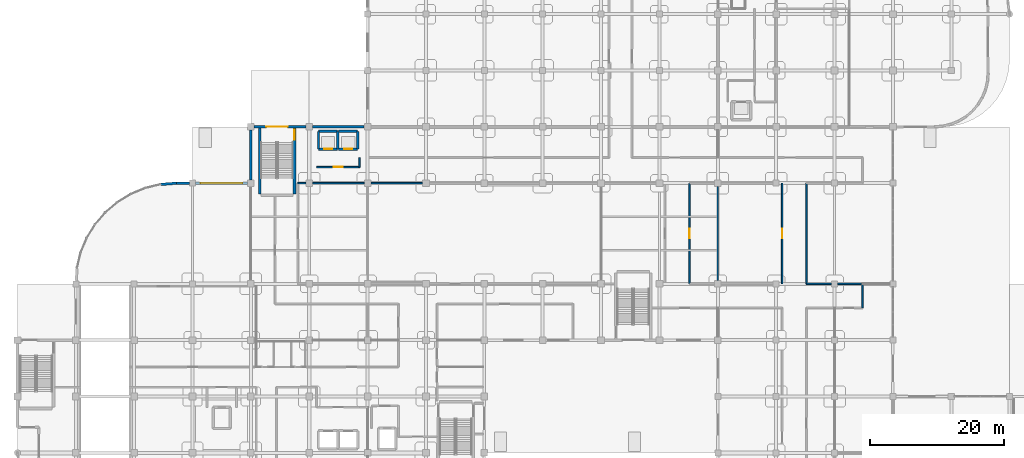
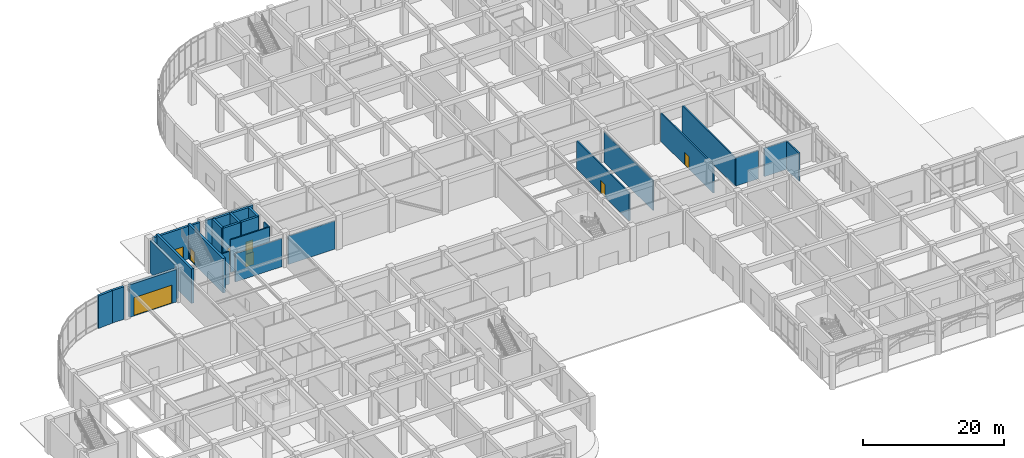
# One storey, part 65 of 82: 27 walls, 8 doors, 8 openings.
"""IFC4 building model written with IfcOpenShell, lengths in metres."""

from ifc_helpers import new_model, si_unit, derived_unit, direction, frame, frame_2d, origin, place, context, subcontext, project, spatial, rectangle, extrude, material, layer, layer_set, type_object, element, fill, save


model = new_model("IFC4")

# Units and contexts
model_context = context("Model", 3, precision=1e-05, world=origin(), true_north=direction((0.0, 1.0)))
body_context = subcontext(model_context, "Body", "Model", "MODEL_VIEW")
ifc_project = project(units=[si_unit("LENGTHUNIT", "METRE"), si_unit("AREAUNIT", "SQUARE_METRE"), si_unit("VOLUMEUNIT", "CUBIC_METRE"), si_unit("PLANEANGLEUNIT", "RADIAN"), si_unit("MASSUNIT", "GRAM", prefix="KILO"), derived_unit("THERMALTRANSMITTANCEUNIT", [(si_unit("MASSUNIT", "GRAM", prefix="KILO"), 1), (si_unit("TIMEUNIT", "SECOND"), -3), (si_unit("THERMODYNAMICTEMPERATUREUNIT", "KELVIN"), -1)])], contexts=[model_context])

# Site, building, storey
site_placement = place(None, origin())
site = spatial("IfcSite", under=ifc_project, at=site_placement, CompositionType="ELEMENT")
building_placement = place(site_placement, origin())
building = spatial("IfcBuilding", under=site, at=building_placement, Name="Qinzheling Arcade Emporium", CompositionType="ELEMENT")
storey_placement = place(building_placement, origin())
storey = spatial("IfcBuildingStorey", under=building, at=storey_placement, Name="L01", CompositionType="ELEMENT", Elevation=0.0)

# Wall
ifc_material_1 = material(Name="Double-stud acoustic gypsum board partition")
ifc_layer_1 = layer(ifc_material_1, 0.215087890625, Name="Double-stud acoustic gypsum board partition")
ifc_layer_set_1 = layer_set([ifc_layer_1], Name="Double-stud acoustic gypsum board partition")
wall_type_1 = type_object("IfcWallType", Name="Acoustic Corridor Partition Wall 215", PredefinedType="PARTITIONING", material=ifc_layer_set_1)
wall_1_placement = place(storey_placement, frame((51.0, 69.199951171875, 0.0), z_axis=(0.0, 0.0, 1.0), x_axis=(0.0, -1.0, 0.0)))
element("IfcWall", 1, at=wall_1_placement, inside=storey, type_object=wall_type_1, Name="Interior Wall WL-L01-INT-0096", PredefinedType="PARTITIONING", context=body_context, shape_type="SweptSolid", body=[
    extrude(rectangle(XDim=1.39990234375, YDim=0.215087890625, at=frame_2d((0.699951171875, 0.0))), origin(), (0.0, 0.0, 1.0), 5.659912109375),
])

# Wall, opening, door
wall_2_placement = place(storey_placement, frame((51.0, 67.800048828125, 0.0), z_axis=(0.0, 0.0, 1.0), x_axis=(-1.0, 0.0, 0.0)))
wall_2 = element("IfcWall", 2, at=wall_2_placement, inside=storey, type_object=wall_type_1, Name="Interior Wall WL-L01-INT-0097", PredefinedType="PARTITIONING", context=body_context, shape_type="SweptSolid", body=[
    extrude(rectangle(XDim=6.39990234375, YDim=0.215087890625, at=frame_2d((3.199951171875, 0.0))), origin(), (0.0, 0.0, 1.0), 5.659912109375),
])
opening_1_placement = place(wall_2_placement, frame((2.52490234375, 0.0, 0.0)))
opening_1 = element("IfcOpeningElement", 3, at=opening_1_placement, cuts=wall_2, Name="Opening FD05", PredefinedType="OPENING", context=body_context, shape_type="SweptSolid", body=[
    extrude(rectangle(XDim=1.35009765625, YDim=2.199951171875, at=frame_2d((0.675048828125, 1.10009765625))), frame((0.0, 0.11767578125, 0.0), z_axis=(0.0, -1.0, 0.0), x_axis=(1.0, 0.0, 0.0)), (0.0, 0.0, 1.0), 0.235107421875),
])
ifc_material_2 = material(Name="Class B fire-rated stainless-clad door")
door_type_1 = type_object("IfcDoorType", Name="Kitchen Fire-Rated Service Door 1350x2200", OperationType="NOTDEFINED", PredefinedType="DOOR", material=ifc_material_2)
door_1_placement = place(opening_1_placement, origin())
door_1 = element("IfcDoor", 4, at=door_1_placement, inside=storey, type_object=door_type_1, Name="FD05 Interior Door DR-L01-INT-0029", OperationType="SINGLE_SWING_LEFT", OverallHeight=2.199951171875, OverallWidth=1.35009765625, PredefinedType="DOOR", context=body_context, shape_type="SweptSolid", body=[
    extrude(rectangle(XDim=1.35009765625, YDim=2.199951171875, at=frame_2d((0.675048828125, 1.10009765625))), frame((0.0, 0.02490234375, 0.0), z_axis=(0.0, -1.0, 0.0), x_axis=(1.0, 0.0, 0.0)), (0.0, 0.0, 1.0), 0.050048828125),
])
fill(opening_1, door_1)

# Walls
for number, where, z_axis, x_axis, name in (
    (5, (60.389892578125, 65.39990234375, 0.0), (0.0, 0.0, 1.0), (-1.0, 0.0, 0.0), "Interior Wall WL-L01-INT-0150"),
    (6, (51.68994140625, 65.39990234375, 0.0), (0.0, 0.0, 1.0), (-1.0, 0.0, 0.0), "Interior Wall WL-L01-INT-0153"),
):
    element("IfcWall", number, at=place(storey_placement, frame(where, z_axis=z_axis, x_axis=x_axis)), inside=storey, type_object=wall_type_1, Name=name, PredefinedType="PARTITIONING", context=body_context, shape_type="SweptSolid", body=[
        extrude(rectangle(XDim=7.679931640625, YDim=0.215087890625, at=frame_2d((3.83984375, 0.0))), origin(), (0.0, 0.0, 1.0), 4.909912109375),
    ])
wall_3_placement = place(storey_placement, frame((42.989990234375, 65.39990234375, 0.0), z_axis=(0.0, 0.0, 1.0), x_axis=(-1.0, 0.0, 0.0)))
element("IfcWall", 7, at=wall_3_placement, inside=storey, type_object=wall_type_1, Name="Interior Wall WL-L01-INT-0154", PredefinedType="PARTITIONING", context=body_context, shape_type="SweptSolid", body=[
    extrude(rectangle(XDim=1.18994140625, YDim=0.215087890625, at=frame_2d((0.594970703125, 0.0))), origin(), (0.0, 0.0, 1.0), 5.659912109375),
])

# Wall, opening, door
wall_4_placement = place(storey_placement, frame((100.199951171875, 65.39990234375, 0.0), z_axis=(0.0, 0.0, 1.0), x_axis=(0.0, -1.0, 0.0)))
wall_4 = element("IfcWall", 8, at=wall_4_placement, inside=storey, type_object=wall_type_1, Name="Interior Wall WL-L01-INT-0169", PredefinedType="PARTITIONING", context=body_context, shape_type="SweptSolid", body=[
    extrude(rectangle(XDim=15.0, YDim=0.215087890625, at=frame_2d((7.5, 0.0))), origin(), (0.0, 0.0, 1.0), 4.909912109375),
])
opening_2_placement = place(wall_4_placement, frame((6.824951171875, 0.0, 0.0)))
opening_2 = element("IfcOpeningElement", 9, at=opening_2_placement, cuts=wall_4, Name="Opening FD05", PredefinedType="OPENING", context=body_context, shape_type="SweptSolid", body=[
    extrude(rectangle(XDim=1.35009765625, YDim=2.199951171875, at=frame_2d((0.675048828125, 1.10009765625))), frame((0.0, 0.11767578125, 0.0), z_axis=(0.0, -1.0, 0.0), x_axis=(1.0, 0.0, 0.0)), (0.0, 0.0, 1.0), 0.235107421875),
])
door_2_placement = place(opening_2_placement, origin())
door_2 = element("IfcDoor", 10, at=door_2_placement, inside=storey, type_object=door_type_1, Name="FD05 Interior Door DR-L01-INT-0053", OperationType="SINGLE_SWING_RIGHT", OverallHeight=2.199951171875, OverallWidth=1.35009765625, PredefinedType="DOOR", context=body_context, shape_type="SweptSolid", body=[
    extrude(rectangle(XDim=1.35009765625, YDim=2.199951171875, at=frame_2d((0.675048828125, 1.10009765625))), frame((0.0, 0.02490234375, 0.0), z_axis=(0.0, -1.0, 0.0), x_axis=(1.0, 0.0, 0.0)), (0.0, 0.0, 1.0), 0.050048828125),
])
fill(opening_2, door_2)

# Walls
wall_5_placement = place(storey_placement, frame((126.0, 50.39990234375, 0.0), z_axis=(0.0, 0.0, 1.0), x_axis=(0.0, -1.0, 0.0)))
element("IfcWall", 11, at=wall_5_placement, inside=storey, type_object=wall_type_1, Name="Interior Wall WL-L01-INT-0182", PredefinedType="PARTITIONING", context=body_context, shape_type="SweptSolid", body=[
    extrude(rectangle(XDim=3.599853515625, YDim=0.215087890625, at=frame_2d((1.7998046875, 0.0))), origin(), (0.0, 0.0, 1.0), 4.909912109375),
])
wall_6_placement = place(storey_placement, frame((117.60009765625, 65.39990234375, 0.0), z_axis=(0.0, 0.0, 1.0), x_axis=(0.0, -1.0, 0.0)))
element("IfcWall", 12, at=wall_6_placement, inside=storey, type_object=wall_type_1, Name="Interior Wall WL-L01-INT-0188", PredefinedType="PARTITIONING", context=body_context, shape_type="SweptSolid", body=[
    extrude(rectangle(XDim=15.0, YDim=0.215087890625, at=frame_2d((7.5, 0.0))), origin(), (0.0, 0.0, 1.0), 4.909912109375),
])
for number, where, z_axis, x_axis, name in (
    (13, (117.60009765625, 50.39990234375, 0.0), (0.0, 0.0, 1.0), (1.0, 0.0, 0.0), "Interior Wall WL-L01-INT-0189"),
    (14, (122.260009765625, 50.39990234375, 0.0), (0.0, 0.0, 1.0), (1.0, 0.0, 0.0), "Interior Wall WL-L01-INT-0190"),
):
    element("IfcWall", number, at=place(storey_placement, frame(where, z_axis=z_axis, x_axis=x_axis)), inside=storey, type_object=wall_type_1, Name=name, PredefinedType="PARTITIONING", context=body_context, shape_type="SweptSolid", body=[
        extrude(rectangle(XDim=3.739990234375, YDim=0.215087890625, at=frame_2d((1.8701171875, 0.0))), origin(), (0.0, 0.0, 1.0), 4.909912109375),
    ])

# Wall, opening, door
wall_7_placement = place(storey_placement, frame((114.0, 50.39990234375, 0.0), z_axis=(0.0, 0.0, 1.0), x_axis=(0.0, 1.0, 0.0)))
wall_7 = element("IfcWall", 15, at=wall_7_placement, inside=storey, type_object=wall_type_1, Name="Interior Wall WL-L01-INT-0192", PredefinedType="PARTITIONING", context=body_context, shape_type="SweptSolid", body=[
    extrude(rectangle(XDim=15.0, YDim=0.215087890625, at=frame_2d((7.5, 0.0))), origin(), (0.0, 0.0, 1.0), 4.909912109375),
])
opening_3_placement = place(wall_7_placement, frame((6.824951171875, 0.0, 0.0)))
opening_3 = element("IfcOpeningElement", 16, at=opening_3_placement, cuts=wall_7, Name="Opening FD05", PredefinedType="OPENING", context=body_context, shape_type="SweptSolid", body=[
    extrude(rectangle(XDim=1.35009765625, YDim=2.199951171875, at=frame_2d((0.675048828125, 1.10009765625))), frame((0.0, 0.11767578125, 0.0), z_axis=(0.0, -1.0, 0.0), x_axis=(1.0, 0.0, 0.0)), (0.0, 0.0, 1.0), 0.235107421875),
])
door_3_placement = place(opening_3_placement, origin())
door_3 = element("IfcDoor", 17, at=door_3_placement, inside=storey, type_object=door_type_1, Name="FD05 Interior Door DR-L01-INT-0060", OperationType="SINGLE_SWING_LEFT", OverallHeight=2.199951171875, OverallWidth=1.35009765625, PredefinedType="DOOR", context=body_context, shape_type="SweptSolid", body=[
    extrude(rectangle(XDim=1.35009765625, YDim=2.199951171875, at=frame_2d((0.675048828125, 1.10009765625))), frame((0.0, 0.02490234375, 0.0), z_axis=(0.0, -1.0, 0.0), x_axis=(1.0, 0.0, 0.0)), (0.0, 0.0, 1.0), 0.050048828125),
])
fill(opening_3, door_3)

# Wall
ifc_material_3 = material(Name="Lightweight steel-stud gypsum partition", Category="steel")
ifc_layer_2 = layer(ifc_material_3, 0.18994140625, Name="Lightweight steel-stud gypsum partition", Category="steel")
ifc_layer_set_2 = layer_set([ifc_layer_2], Name="Lightweight steel-stud gypsum partition")
wall_type_2 = type_object("IfcWallType", Name="Department Tenant Partition Wall 190", PredefinedType="PARTITIONING", material=ifc_layer_set_2)
wall_8_placement = place(storey_placement, frame((104.39990234375, 64.889892578125, 0.0), z_axis=(0.0, 0.0, 1.0), x_axis=(0.0, -1.0, 0.0)))
element("IfcWall", 18, at=wall_8_placement, inside=storey, type_object=wall_type_2, Name="Interior Wall WL-L01-INT-0241", PredefinedType="PARTITIONING", context=body_context, shape_type="SweptSolid", body=[
    extrude(rectangle(XDim=13.97998046875, YDim=0.18994140625, at=frame_2d((6.989990234375, 0.0))), origin(), (0.0, 0.0, 1.0), 5.221923828125),
])

# Wall, opening, door
ifc_material_4 = material(Name="Fluted granite ashlar on Concrete C40", Category="masonry")
ifc_layer_3 = layer(ifc_material_4, 0.35009765625, Name="Fluted granite ashlar on Concrete C40", Category="masonry")
ifc_layer_set_3 = layer_set([ifc_layer_3], Name="Fluted granite ashlar on Concrete C40")
wall_type_3 = type_object("IfcWallType", Name="Fluted Granite Logistics Wall 350", PredefinedType="STANDARD", material=ifc_layer_set_3)
wall_9_placement = place(storey_placement, frame((35.302001953125, 73.800048828125, 0.0), z_axis=(0.0, 0.0, 1.0), x_axis=(1.0, 0.0, 0.0)))
wall_9 = element("IfcWall", 19, at=wall_9_placement, inside=storey, type_object=wall_type_3, Name="Exterior Wall WL-L01-EW-0048", PredefinedType="STANDARD", context=body_context, shape_type="SweptSolid", body=[
    extrude(rectangle(XDim=7.696044921875, YDim=0.35009765625, at=frame_2d((3.84814453125, 0.0))), origin(), (0.0, 0.0, 1.0), 5.659912109375),
])
opening_4_placement = place(wall_9_placement, frame((1.79296875, 0.0, 0.0)))
opening_4 = element("IfcOpeningElement", 20, at=opening_4_placement, cuts=wall_9, Name="Opening ED01", PredefinedType="OPENING", context=body_context, shape_type="SweptSolid", body=[
    extrude(rectangle(XDim=3.199951171875, YDim=2.39990234375, at=frame_2d((1.60009765625, 1.199951171875))), frame((0.0, 0.18505859375, 0.0), z_axis=(0.0, -1.0, 0.0), x_axis=(1.0, 0.0, 0.0)), (0.0, 0.0, 1.0), 0.3701171875),
])
ifc_material_5 = material(Name="Fire-rated steel panic exit door", Category="steel")
door_type_2 = type_object("IfcDoorType", Name="Stairwell Street Final Exit Door 3200x2400", OperationType="DOUBLE_DOOR_SINGLE_SWING", PredefinedType="USERDEFINED", material=ifc_material_5)
door_4_placement = place(opening_4_placement, origin())
door_4 = element("IfcDoor", 21, at=door_4_placement, inside=storey, type_object=door_type_2, Name="ED01 Exterior Door DR-L01-EXT-022", ObjectType="ESCAPE_DOOR", OperationType="DOUBLE_DOOR_SINGLE_SWING", OverallHeight=2.39990234375, OverallWidth=3.199951171875, PredefinedType="USERDEFINED", context=body_context, shape_type="SweptSolid", body=[
    extrude(rectangle(XDim=3.199951171875, YDim=2.39990234375, at=frame_2d((1.60009765625, 1.199951171875))), frame((0.0, 0.02490234375, 0.0), z_axis=(0.0, -1.0, 0.0), x_axis=(1.0, 0.0, 0.0)), (0.0, 0.0, 1.0), 0.050048828125),
])
fill(opening_4, door_4)

# Walls
wall_10_placement = place(storey_placement, frame((44.001953125, 73.800048828125, 0.0), z_axis=(0.0, 0.0, 1.0), x_axis=(1.0, 0.0, 0.0)))
element("IfcWall", 22, at=wall_10_placement, inside=storey, type_object=wall_type_3, Name="Exterior Wall WL-L01-EW-0049", PredefinedType="STANDARD", context=body_context, shape_type="SweptSolid", body=[
    extrude(rectangle(XDim=7.696044921875, YDim=0.35009765625, at=frame_2d((3.84814453125, 0.0))), origin(), (0.0, 0.0, 1.0), 5.659912109375),
])
ifc_material_6 = material(Name="Glazed cream terracotta on Concrete C40", Category="masonry")
ifc_layer_4 = layer(ifc_material_6, 0.3798828125, Name="Glazed cream terracotta on Concrete C40", Category="masonry")
ifc_layer_set_4 = layer_set([ifc_layer_4], Name="Glazed cream terracotta on Concrete C40")
wall_type_4 = type_object("IfcWallType", Name="Glazed Cream Terracotta Structural Wall 380", PredefinedType="STANDARD", material=ifc_layer_set_4)
wall_11_placement = place(storey_placement, frame((21.35302734375, 65.215087890625, 0.0), z_axis=(0.0, 0.0, 1.0), x_axis=(0.996913759647, 0.078504495584, 0.0)))
element("IfcWall", 23, at=wall_11_placement, inside=storey, type_object=wall_type_4, Name="Exterior Wall WL-L01-EW-0044", PredefinedType="STANDARD", context=body_context, shape_type="SweptSolid", body=[
    extrude(rectangle(XDim=2.354248046875, YDim=0.3798828125, at=frame_2d((1.17724609375, 0.0))), origin(), (0.0, 0.0, 1.0), 5.659912109375),
])

# Wall, opening, door
wall_12_placement = place(storey_placement, frame((26.552001953125, 65.39990234375, 0.0), z_axis=(0.0, 0.0, 1.0), x_axis=(1.0, 0.0, 0.0)))
wall_12 = element("IfcWall", 24, at=wall_12_placement, inside=storey, type_object=wall_type_4, Name="Exterior Wall WL-L01-EW-0046", PredefinedType="STANDARD", context=body_context, shape_type="SweptSolid", body=[
    extrude(rectangle(XDim=7.74609375, YDim=0.3798828125, at=frame_2d((3.873046875, 0.0))), origin(), (0.0, 0.0, 1.0), 5.659912109375),
])
opening_5_placement = place(wall_12_placement, frame((0.77294921875, 0.0, 0.0)))
opening_5 = element("IfcOpeningElement", 25, at=opening_5_placement, cuts=wall_12, Name="Opening VG01", PredefinedType="OPENING", context=body_context, shape_type="SweptSolid", body=[
    extrude(rectangle(XDim=6.199951171875, YDim=3.199951171875, at=frame_2d((3.10009765625, 1.60009765625))), frame((0.0, 0.199951171875, 0.0), z_axis=(0.0, -1.0, 0.0), x_axis=(1.0, 0.0, 0.0)), (0.0, 0.0, 1.0), 0.39990234375),
])
ifc_material_7 = material(Name="Galvanised powder-coated steel grille gate", Category="steel")
door_type_3 = type_object("IfcDoorType", Name="West Car Park Motorized Bi-Parting Gate 6200x3200", OperationType="DOUBLE_DOOR_SLIDING", PredefinedType="GATE", material=ifc_material_7)
door_5_placement = place(opening_5_placement, origin())
door_5 = element("IfcDoor", 26, at=door_5_placement, inside=storey, type_object=door_type_3, Name="VG01 Exterior Door DR-L01-EXT-021", OperationType="DOUBLE_DOOR_SLIDING", OverallHeight=3.199951171875, OverallWidth=6.199951171875, PredefinedType="GATE", context=body_context, shape_type="SweptSolid", body=[
    extrude(rectangle(XDim=6.199951171875, YDim=3.199951171875, at=frame_2d((3.10009765625, 1.60009765625))), frame((0.0, 0.02490234375, 0.0), z_axis=(0.0, -1.0, 0.0), x_axis=(1.0, 0.0, 0.0)), (0.0, 0.0, 1.0), 0.050048828125),
])
fill(opening_5, door_5)

# Walls
ifc_layer_5 = layer(ifc_material_6, 0.360107421875, Name="Glazed cream terracotta on Concrete C40", Category="masonry")
ifc_layer_set_5 = layer_set([ifc_layer_5], Name="Glazed cream terracotta on Concrete C40")
wall_type_5 = type_object("IfcWallType", Name="Glazed Terracotta Pier Wall 360", PredefinedType="STANDARD", material=ifc_layer_set_5)
wall_13_placement = place(storey_placement, frame((23.699951171875, 65.39990234375, 0.0), z_axis=(0.0, 0.0, 1.0), x_axis=(1.0, 0.0, 0.0)))
element("IfcWall", 27, at=wall_13_placement, inside=storey, type_object=wall_type_5, Name="Exterior Wall WL-L01-EW-0045", PredefinedType="STANDARD", context=body_context, shape_type="SweptSolid", body=[
    extrude(rectangle(XDim=1.947998046875, YDim=0.360107421875, at=frame_2d((0.97412109375, 0.0))), origin(), (0.0, 0.0, 1.0), 5.659912109375),
])
wall_14_placement = place(storey_placement, frame((34.800048828125, 65.902099609375, 0.0), z_axis=(0.0, 0.0, 1.0), x_axis=(0.0, 1.0, 0.0)))
element("IfcWall", 28, at=wall_14_placement, inside=storey, type_object=wall_type_5, Name="Exterior Wall WL-L01-EW-0047", PredefinedType="STANDARD", context=body_context, shape_type="SweptSolid", body=[
    extrude(rectangle(XDim=7.39599609375, YDim=0.360107421875, at=frame_2d((3.697998046875, 0.0))), origin(), (0.0, 0.0, 1.0), 5.659912109375),
])
ifc_material_8 = material(Name="Concrete C40", Category="concrete")
ifc_layer_6 = layer(ifc_material_8, 0.35009765625, Name="Concrete C40", Category="concrete")
ifc_layer_set_6 = layer_set([ifc_layer_6], Name="Concrete C40")
wall_type_6 = type_object("IfcWallType", Name="RC Lift Shaft Shear Wall 350 C40", PredefinedType="SHEAR", material=ifc_layer_set_6)
wall_15_placement = place(storey_placement, frame((44.875, 73.125, 0.0), z_axis=(0.0, 0.0, 1.0), x_axis=(1.0, 0.0, 0.0)))
element("IfcWall", 29, at=wall_15_placement, inside=storey, type_object=wall_type_6, Name="Lift Shaft Wall WL-L01-LFT-LP03-N", PredefinedType="SHEAR", context=body_context, shape_type="SweptSolid", body=[
    extrude(rectangle(XDim=2.85009765625, YDim=0.35009765625, at=frame_2d((1.425048828125, 0.0))), origin(), (0.0, 0.0, 1.0), 6.0),
])

# Wall, opening, door
wall_16_placement = place(storey_placement, frame((47.72509765625, 70.47509765625, 0.0), z_axis=(0.0, 0.0, 1.0), x_axis=(-1.0, 0.0, 0.0)))
wall_16 = element("IfcWall", 30, at=wall_16_placement, inside=storey, type_object=wall_type_6, Name="Lift Shaft Wall WL-L01-LFT-LP03-S", PredefinedType="SHEAR", context=body_context, shape_type="SweptSolid", body=[
    extrude(rectangle(XDim=2.85009765625, YDim=0.35009765625, at=frame_2d((1.425048828125, 0.0))), origin(), (0.0, 0.0, 1.0), 6.0),
])
opening_6_placement = place(wall_16_placement, frame((0.824951171875, 0.0, 0.0)))
opening_6 = element("IfcOpeningElement", 31, at=opening_6_placement, cuts=wall_16, Name="Opening LD02", PredefinedType="OPENING", context=body_context, shape_type="SweptSolid", body=[
    extrude(rectangle(XDim=1.199951171875, YDim=2.199951171875, at=frame_2d((0.60009765625, 1.10009765625))), frame((0.0, 0.18505859375, 0.0), z_axis=(0.0, -1.0, 0.0), x_axis=(1.0, 0.0, 0.0)), (0.0, 0.0, 1.0), 0.3701171875),
])
ifc_material_9 = material(Name="Brushed bronze stainless sliding lift door")
door_type_4 = type_object("IfcDoorType", Name="Passenger Lift Sliding Landing Door 1200x2200", OperationType="DOUBLE_DOOR_SLIDING", PredefinedType="DOOR", material=ifc_material_9)
door_6_placement = place(opening_6_placement, origin())
door_6 = element("IfcDoor", 32, at=door_6_placement, inside=storey, type_object=door_type_4, Name="LD02 Lift Landing Door LP03 L01", OperationType="DOUBLE_DOOR_SLIDING", OverallHeight=2.199951171875, OverallWidth=1.199951171875, PredefinedType="DOOR", context=body_context, shape_type="SweptSolid", body=[
    extrude(rectangle(XDim=1.199951171875, YDim=2.199951171875, at=frame_2d((0.60009765625, 1.10009765625))), frame((0.0, 0.02490234375, 0.0), z_axis=(0.0, -1.0, 0.0), x_axis=(1.0, 0.0, 0.0)), (0.0, 0.0, 1.0), 0.050048828125),
])
fill(opening_6, door_6)

# Walls
for number, where, z_axis, x_axis, name in (
    (33, (44.875, 70.47509765625, 0.0), (0.0, 0.0, 1.0), (0.0, 1.0, 0.0), "Lift Shaft Wall WL-L01-LFT-LP03-W"),
    (34, (47.72509765625, 73.125, 0.0), (0.0, 0.0, 1.0), (0.0, -1.0, 0.0), "Lift Shaft Wall WL-L01-LFT-LP03-E"),
):
    element("IfcWall", number, at=place(storey_placement, frame(where, z_axis=z_axis, x_axis=x_axis)), inside=storey, type_object=wall_type_6, Name=name, PredefinedType="SHEAR", context=body_context, shape_type="SweptSolid", body=[
        extrude(rectangle(XDim=2.64990234375, YDim=0.35009765625, at=frame_2d((1.324951171875, 0.0))), origin(), (0.0, 0.0, 1.0), 6.0),
    ])
wall_17_placement = place(storey_placement, frame((47.875, 73.125, 0.0), z_axis=(0.0, 0.0, 1.0), x_axis=(1.0, 0.0, 0.0)))
element("IfcWall", 35, at=wall_17_placement, inside=storey, type_object=wall_type_6, Name="Lift Shaft Wall WL-L01-LFT-LP04-N", PredefinedType="SHEAR", context=body_context, shape_type="SweptSolid", body=[
    extrude(rectangle(XDim=2.85009765625, YDim=0.35009765625, at=frame_2d((1.425048828125, 0.0))), origin(), (0.0, 0.0, 1.0), 6.0),
])

# Wall, opening, door
wall_18_placement = place(storey_placement, frame((50.72509765625, 70.47509765625, 0.0), z_axis=(0.0, 0.0, 1.0), x_axis=(-1.0, 0.0, 0.0)))
wall_18 = element("IfcWall", 36, at=wall_18_placement, inside=storey, type_object=wall_type_6, Name="Lift Shaft Wall WL-L01-LFT-LP04-S", PredefinedType="SHEAR", context=body_context, shape_type="SweptSolid", body=[
    extrude(rectangle(XDim=2.85009765625, YDim=0.35009765625, at=frame_2d((1.425048828125, 0.0))), origin(), (0.0, 0.0, 1.0), 6.0),
])
opening_7_placement = place(wall_18_placement, frame((0.824951171875, 0.0, 0.0)))
opening_7 = element("IfcOpeningElement", 37, at=opening_7_placement, cuts=wall_18, Name="Opening LD02", PredefinedType="OPENING", context=body_context, shape_type="SweptSolid", body=[
    extrude(rectangle(XDim=1.199951171875, YDim=2.199951171875, at=frame_2d((0.60009765625, 1.10009765625))), frame((0.0, 0.18505859375, 0.0), z_axis=(0.0, -1.0, 0.0), x_axis=(1.0, 0.0, 0.0)), (0.0, 0.0, 1.0), 0.3701171875),
])
door_7_placement = place(opening_7_placement, origin())
door_7 = element("IfcDoor", 38, at=door_7_placement, inside=storey, type_object=door_type_4, Name="LD02 Lift Landing Door LP04 L01", OperationType="DOUBLE_DOOR_SLIDING", OverallHeight=2.199951171875, OverallWidth=1.199951171875, PredefinedType="DOOR", context=body_context, shape_type="SweptSolid", body=[
    extrude(rectangle(XDim=1.199951171875, YDim=2.199951171875, at=frame_2d((0.60009765625, 1.10009765625))), frame((0.0, 0.02490234375, 0.0), z_axis=(0.0, -1.0, 0.0), x_axis=(1.0, 0.0, 0.0)), (0.0, 0.0, 1.0), 0.050048828125),
])
fill(opening_7, door_7)

# Walls
wall_19_placement = place(storey_placement, frame((50.72509765625, 73.125, 0.0), z_axis=(0.0, 0.0, 1.0), x_axis=(0.0, -1.0, 0.0)))
element("IfcWall", 39, at=wall_19_placement, inside=storey, type_object=wall_type_6, Name="Lift Shaft Wall WL-L01-LFT-LP04-E", PredefinedType="SHEAR", context=body_context, shape_type="SweptSolid", body=[
    extrude(rectangle(XDim=2.64990234375, YDim=0.35009765625, at=frame_2d((1.324951171875, 0.0))), origin(), (0.0, 0.0, 1.0), 6.0),
])
ifc_material_10 = material(Name="Concrete C50", Category="concrete")
ifc_layer_7 = layer(ifc_material_10, 0.39990234375, Name="Concrete C50", Category="concrete")
ifc_layer_set_7 = layer_set([ifc_layer_7], Name="Concrete C50")
wall_type_7 = type_object("IfcWallType", Name="RC Stair Core Shear Wall 400 C50", PredefinedType="SHEAR", material=ifc_layer_set_7)
wall_20_placement = place(storey_placement, frame((36.10009765625, 63.800048828125, 0.0), z_axis=(0.0, 0.0, 1.0), x_axis=(0.0, 1.0, 0.0)))
element("IfcWall", 40, at=wall_20_placement, inside=storey, type_object=wall_type_7, Name="Stair Core Wall WL-L01-ST03-WEST", PredefinedType="SHEAR", context=body_context, shape_type="SweptSolid", body=[
    extrude(rectangle(XDim=10.0, YDim=0.39990234375, at=frame_2d((5.0, 0.0))), origin(), (0.0, 0.0, 1.0), 6.0),
])

# Wall, opening, door
wall_21_placement = place(storey_placement, frame((41.2900390625, 73.800048828125, 0.0), z_axis=(0.0, 0.0, 1.0), x_axis=(0.0, -1.0, 0.0)))
wall_21 = element("IfcWall", 41, at=wall_21_placement, inside=storey, type_object=wall_type_7, Name="Stair Core Wall WL-L01-ST03-EAST", PredefinedType="SHEAR", context=body_context, shape_type="SweptSolid", body=[
    extrude(rectangle(XDim=10.0, YDim=0.39990234375, at=frame_2d((5.0, 0.0))), origin(), (0.0, 0.0, 1.0), 6.0),
])
opening_8_placement = place(wall_21_placement, frame((0.409912109375, 0.0, 0.0)))
opening_8 = element("IfcOpeningElement", 42, at=opening_8_placement, cuts=wall_21, Name="Opening FD01", PredefinedType="OPENING", context=body_context, shape_type="SweptSolid", body=[
    extrude(rectangle(XDim=1.5, YDim=2.199951171875, at=frame_2d((0.75, 1.10009765625))), frame((0.0, 0.2099609375, 0.0), z_axis=(0.0, -1.0, 0.0), x_axis=(1.0, 0.0, 0.0)), (0.0, 0.0, 1.0), 0.419921875),
])
ifc_material_11 = material(Name="Class A fire-rated steel double door", Category="steel")
door_type_5 = type_object("IfcDoorType", Name="Stairwell Smoke-Proof Fire Door 1500x2200", OperationType="DOUBLE_DOOR_SINGLE_SWING", PredefinedType="DOOR", material=ifc_material_11)
door_8_placement = place(opening_8_placement, origin())
door_8 = element("IfcDoor", 43, at=door_8_placement, inside=storey, type_object=door_type_5, Name="FD01 Stairwell Fire Door DR-L01-ST03-FD", OperationType="DOUBLE_DOOR_SINGLE_SWING", OverallHeight=2.199951171875, OverallWidth=1.5, PredefinedType="DOOR", context=body_context, shape_type="SweptSolid", body=[
    extrude(rectangle(XDim=1.5, YDim=2.199951171875, at=frame_2d((0.75, 1.10009765625))), frame((0.0, 0.02490234375, 0.0), z_axis=(0.0, -1.0, 0.0), x_axis=(1.0, 0.0, 0.0)), (0.0, 0.0, 1.0), 0.050048828125),
])
fill(opening_8, door_8)

save(model, "model.ifc")
